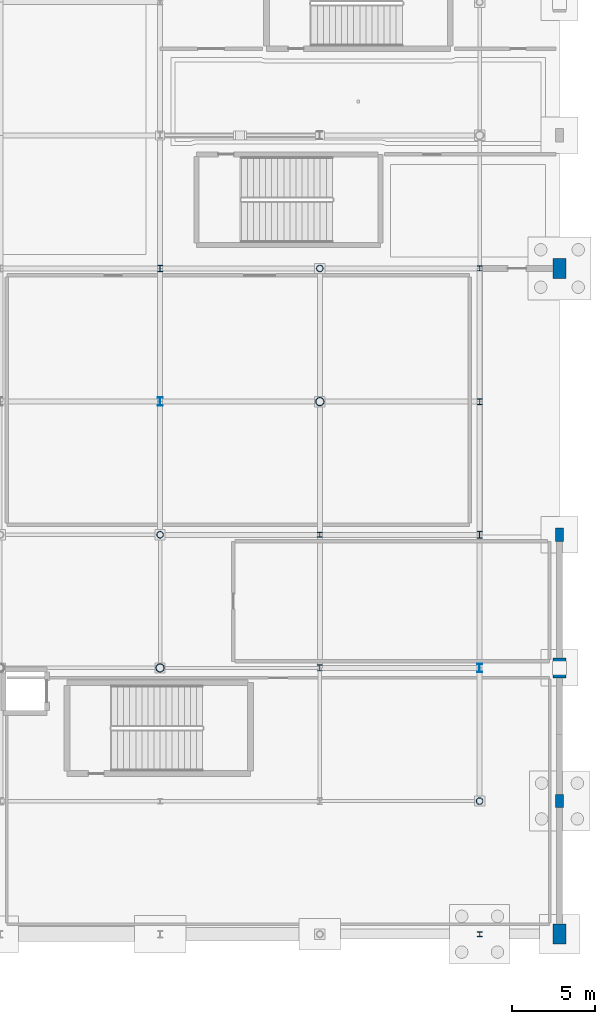
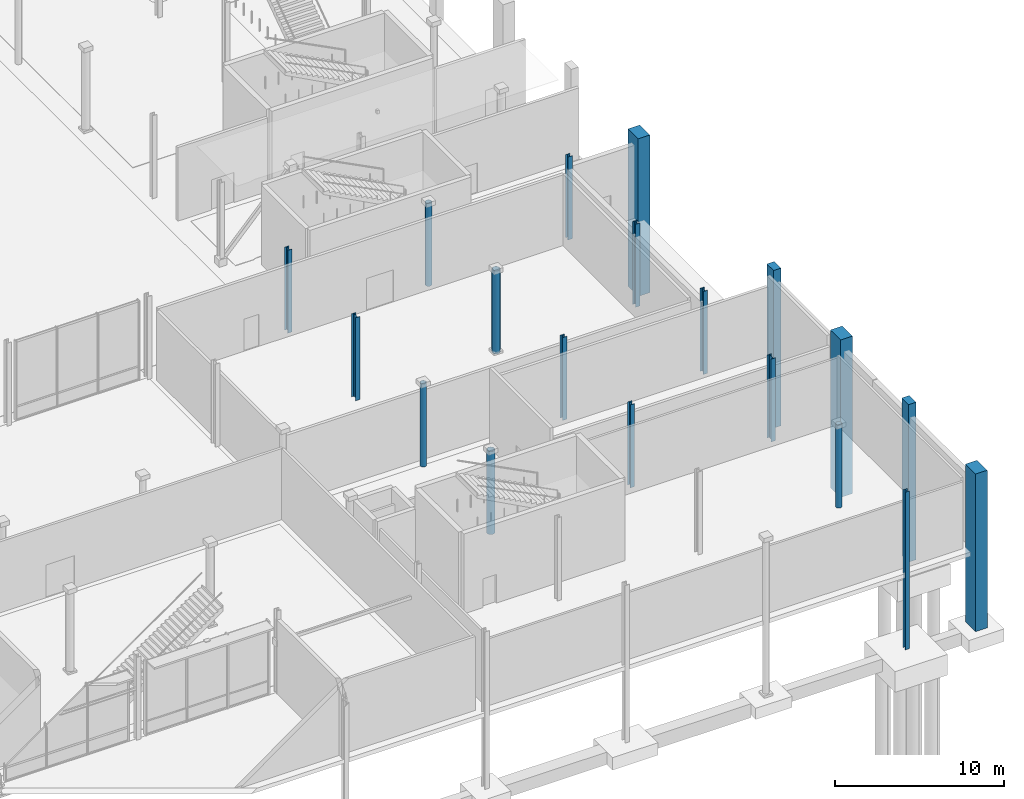
# One storey, part 21 of 124: 19 columns.
"""IFC4 building model written with IfcOpenShell, lengths in metres."""

from ifc_helpers import new_model, si_unit, direction, frame, origin, origin_2d, place, context, subcontext, project, spatial, rectangle, hollow_circle, i_section, extrude, material, material_profile, profile_set, type_object, element, save


model = new_model("IFC4")

# Units and contexts
model_context = context("Model", 3, precision=1e-05, world=origin(), true_north=direction((0.0, 1.0)))
body_context = subcontext(model_context, "Body", "Model", "MODEL_VIEW")
ifc_project = project(units=[si_unit("LENGTHUNIT", "METRE"), si_unit("AREAUNIT", "SQUARE_METRE"), si_unit("VOLUMEUNIT", "CUBIC_METRE"), si_unit("PLANEANGLEUNIT", "RADIAN"), si_unit("MASSUNIT", "GRAM", prefix="KILO")], contexts=[model_context])

# Site, building, storey
site_placement = place(None, origin())
site = spatial("IfcSite", under=ifc_project, at=site_placement, CompositionType="ELEMENT")
building_placement = place(site_placement, origin())
building = spatial("IfcBuilding", under=site, at=building_placement, Name="Danafjord Basin Convention Centre", CompositionType="ELEMENT")
storey_placement = place(building_placement, origin())
storey = spatial("IfcBuildingStorey", under=building, at=storey_placement, Name="L00", CompositionType="ELEMENT", Elevation=0.0)

# Columns
ifc_material_1 = material(Name="Steel S355", Category="steel")
ifc_material_profile_1 = material_profile(ifc_material_1, hollow_circle(Radius=0.203125, WallThickness=0.02001953125, at=origin_2d()), Name="CHS 406.4x20.0")
ifc_profile_set_1 = profile_set([ifc_material_profile_1], Name="Steel S355")
column_type_1 = type_object("IfcColumnType", Name="COL-C-CHS406", PredefinedType="COLUMN", material=ifc_profile_set_1)
for number, where, z_axis, x_axis, name in (
    (1, (192.0, 24.0, 0.0), (0.0, 0.0, 1.0), (1.0, 0.0, 0.0), "L00 column C-CHS406 at (192.0, 24.0)"),
    (2, (201.60009765625, 40.0, 0.0), (0.0, 0.0, 1.0), (1.0, 0.0, 0.0), "L00 column C-CHS406 at (201.6, 40.0)"),
    (3, (211.199951171875, 8.0, 0.0), (0.0, 0.0, 1.0), (1.0, 0.0, 0.0), "L00 column C-CHS406 at (211.2, 8.0)"),
):
    element("IfcColumn", number, at=place(storey_placement, frame(where, z_axis=z_axis, x_axis=x_axis)), inside=storey, type_object=column_type_1, Name=name, PredefinedType="COLUMN", context=body_context, shape_type="SweptSolid", body=[
        extrude(hollow_circle(Radius=0.203125, WallThickness=0.02001953125, at=origin_2d()), origin(), (0.0, 0.0, 1.0), 6.0),
    ])
ifc_material_profile_2 = material_profile(ifc_material_1, hollow_circle(Radius=0.25390625, WallThickness=0.02490234375, at=origin_2d()), Name="CHS 508.0x25.0")
ifc_profile_set_2 = profile_set([ifc_material_profile_2], Name="Steel S355")
column_type_2 = type_object("IfcColumnType", Name="COL-C-CHS508", PredefinedType="COLUMN", material=ifc_profile_set_2)
for number, where, z_axis, x_axis, name in (
    (4, (192.0, 16.0, 0.0), (0.0, 0.0, 1.0), (1.0, 0.0, 0.0), "L00 column C-CHS508 at (192.0, 16.0)"),
    (5, (201.60009765625, 32.0, 0.0), (0.0, 0.0, 1.0), (1.0, 0.0, 0.0), "L00 column C-CHS508 at (201.6, 32.0)"),
):
    element("IfcColumn", number, at=place(storey_placement, frame(where, z_axis=z_axis, x_axis=x_axis)), inside=storey, type_object=column_type_2, Name=name, PredefinedType="COLUMN", context=body_context, shape_type="SweptSolid", body=[
        extrude(hollow_circle(Radius=0.25390625, WallThickness=0.02490234375, at=origin_2d()), origin(), (0.0, 0.0, 1.0), 6.0),
    ])
ifc_material_profile_3 = material_profile(ifc_material_1, i_section(OverallWidth=0.300048828125, OverallDepth=0.300048828125, WebThickness=0.010986328125, FlangeThickness=0.01904296875, FilletRadius=0.027099609375, at=origin_2d()), Name="HEB 300")
ifc_profile_set_3 = profile_set([ifc_material_profile_3], Name="Steel S355")
column_type_3 = type_object("IfcColumnType", Name="COL-C-HEB300", PredefinedType="COLUMN", material=ifc_profile_set_3)
column_1_placement = place(storey_placement, frame((201.60009765625, 24.0, 0.0), z_axis=(0.0, 0.0, 1.0), x_axis=(1.0, 0.0, 0.0)))
element("IfcColumn", 6, at=column_1_placement, inside=storey, type_object=column_type_3, Name="L00 column C-HEB300 at (201.6, 24.0)", PredefinedType="COLUMN", context=body_context, shape_type="SweptSolid", body=[
    extrude(i_section(OverallWidth=0.300048828125, OverallDepth=0.300048828125, WebThickness=0.010986328125, FlangeThickness=0.01904296875, FilletRadius=0.027099609375, at=origin_2d()), origin(), (0.0, 0.0, 1.0), 6.0),
])
column_2_placement = place(storey_placement, frame((211.199951171875, 0.0, -5.39990234375), z_axis=(0.0, 0.0, 1.0), x_axis=(1.0, 0.0, 0.0)))
element("IfcColumn", 7, at=column_2_placement, inside=storey, type_object=column_type_3, Name="L00 column C-HEB300 at (211.2, 0.0)", PredefinedType="COLUMN", context=body_context, shape_type="SweptSolid", body=[
    extrude(i_section(OverallWidth=0.300048828125, OverallDepth=0.300048828125, WebThickness=0.010986328125, FlangeThickness=0.01904296875, FilletRadius=0.027099609375, at=origin_2d()), origin(), (0.0, 0.0, 1.0), 11.39990234375),
])
column_3_placement = place(storey_placement, frame((211.199951171875, 40.0, 0.0), z_axis=(0.0, 0.0, 1.0), x_axis=(1.0, 0.0, 0.0)))
element("IfcColumn", 8, at=column_3_placement, inside=storey, type_object=column_type_3, Name="L00 column C-HEB300 at (211.2, 40.0)", PredefinedType="COLUMN", context=body_context, shape_type="SweptSolid", body=[
    extrude(i_section(OverallWidth=0.300048828125, OverallDepth=0.300048828125, WebThickness=0.010986328125, FlangeThickness=0.01904296875, FilletRadius=0.027099609375, at=origin_2d()), origin(), (0.0, 0.0, 1.0), 6.0),
])
ifc_material_profile_4 = material_profile(ifc_material_1, i_section(OverallWidth=0.300048828125, OverallDepth=0.360107421875, WebThickness=0.012451171875, FlangeThickness=0.0224609375, FilletRadius=0.027099609375, at=origin_2d()), Name="HEB 360")
ifc_profile_set_4 = profile_set([ifc_material_profile_4], Name="Steel S355")
column_type_4 = type_object("IfcColumnType", Name="COL-C-HEB360", PredefinedType="COLUMN", material=ifc_profile_set_4)
for number, where, z_axis, x_axis, name in (
    (9, (201.60009765625, 16.0, 0.0), (0.0, 0.0, 1.0), (1.0, 0.0, 0.0), "L00 column C-HEB360 at (201.6, 16.0)"),
    (10, (211.199951171875, 32.0, 0.0), (0.0, 0.0, 1.0), (1.0, 0.0, 0.0), "L00 column C-HEB360 at (211.2, 32.0)"),
):
    element("IfcColumn", number, at=place(storey_placement, frame(where, z_axis=z_axis, x_axis=x_axis)), inside=storey, type_object=column_type_4, Name=name, PredefinedType="COLUMN", context=body_context, shape_type="SweptSolid", body=[
        extrude(i_section(OverallWidth=0.300048828125, OverallDepth=0.360107421875, WebThickness=0.012451171875, FlangeThickness=0.0224609375, FilletRadius=0.027099609375, at=origin_2d()), origin(), (0.0, 0.0, 1.0), 6.0),
    ])
ifc_material_profile_5 = material_profile(ifc_material_1, i_section(OverallWidth=0.300048828125, OverallDepth=0.39990234375, WebThickness=0.013427734375, FlangeThickness=0.02392578125, FilletRadius=0.027099609375, at=origin_2d()), Name="HEB 400")
ifc_profile_set_5 = profile_set([ifc_material_profile_5], Name="Steel S355")
column_type_5 = type_object("IfcColumnType", Name="COL-C-HEB400", PredefinedType="COLUMN", material=ifc_profile_set_5)
for number, where, z_axis, x_axis, name in (
    (11, (192.0, 40.0, 0.0), (0.0, 0.0, 1.0), (1.0, 0.0, 0.0), "L00 column C-HEB400 at (192.0, 40.0)"),
    (12, (211.199951171875, 24.0, 0.0), (0.0, 0.0, 1.0), (1.0, 0.0, 0.0), "L00 column C-HEB400 at (211.2, 24.0)"),
):
    element("IfcColumn", number, at=place(storey_placement, frame(where, z_axis=z_axis, x_axis=x_axis)), inside=storey, type_object=column_type_5, Name=name, PredefinedType="COLUMN", context=body_context, shape_type="SweptSolid", body=[
        extrude(i_section(OverallWidth=0.300048828125, OverallDepth=0.39990234375, WebThickness=0.013427734375, FlangeThickness=0.02392578125, FilletRadius=0.027099609375, at=origin_2d()), origin(), (0.0, 0.0, 1.0), 6.0),
    ])
ifc_material_profile_6 = material_profile(ifc_material_1, i_section(OverallWidth=0.300048828125, OverallDepth=0.5, WebThickness=0.014404296875, FlangeThickness=0.028076171875, FilletRadius=0.027099609375, at=origin_2d()), Name="HEB 500")
ifc_profile_set_6 = profile_set([ifc_material_profile_6], Name="Steel S355")
column_type_6 = type_object("IfcColumnType", Name="COL-C-HEB500", PredefinedType="COLUMN", material=ifc_profile_set_6)
for number, where, z_axis, x_axis, name in (
    (13, (192.0, 32.0, 0.0), (0.0, 0.0, 1.0), (1.0, 0.0, 0.0), "L00 column C-HEB500 at (192.0, 32.0)"),
    (14, (211.199951171875, 16.0, 0.0), (0.0, 0.0, 1.0), (1.0, 0.0, 0.0), "L00 column C-HEB500 at (211.2, 16.0)"),
):
    element("IfcColumn", number, at=place(storey_placement, frame(where, z_axis=z_axis, x_axis=x_axis)), inside=storey, type_object=column_type_6, Name=name, PredefinedType="COLUMN", context=body_context, shape_type="SweptSolid", body=[
        extrude(i_section(OverallWidth=0.300048828125, OverallDepth=0.5, WebThickness=0.014404296875, FlangeThickness=0.028076171875, FilletRadius=0.027099609375, at=origin_2d()), origin(), (0.0, 0.0, 1.0), 6.0),
    ])
ifc_material_2 = material(Name="Precast concrete C45/55", Category="concrete")
ifc_material_profile_7 = material_profile(ifc_material_2, rectangle(XDim=0.800048828125, YDim=1.199951171875, at=origin_2d()), Name="RC 1200x800")
ifc_profile_set_7 = profile_set([ifc_material_profile_7], Name="Precast concrete C45/55")
column_type_7 = type_object("IfcColumnType", Name="COL-C-PIL1200", PredefinedType="PILASTER", material=ifc_profile_set_7)
for number, where, z_axis, x_axis, name in (
    (15, (216.0, 0.0, -5.39990234375), (0.0, 0.0, 1.0), (1.0, 0.0, 0.0), "L00 column C-PIL1200 at (216.0, 0.0)"),
    (16, (216.0, 16.0, -5.39990234375), (0.0, 0.0, 1.0), (1.0, 0.0, 0.0), "L00 column C-PIL1200 at (216.0, 16.0)"),
    (17, (216.0, 40.0, -5.39990234375), (0.0, 0.0, 1.0), (1.0, 0.0, 0.0), "L00 column C-PIL1200 at (216.0, 40.0)"),
):
    element("IfcColumn", number, at=place(storey_placement, frame(where, z_axis=z_axis, x_axis=x_axis)), inside=storey, type_object=column_type_7, Name=name, PredefinedType="PILASTER", context=body_context, shape_type="SweptSolid", body=[
        extrude(rectangle(XDim=0.800048828125, YDim=1.199951171875, at=origin_2d()), origin(), (0.0, 0.0, 1.0), 11.39990234375),
    ])
ifc_material_profile_8 = material_profile(ifc_material_2, rectangle(XDim=0.5, YDim=0.800048828125, at=origin_2d()), Name="PCB 500x800")
ifc_profile_set_8 = profile_set([ifc_material_profile_8], Name="Precast concrete C45/55")
column_type_8 = type_object("IfcColumnType", Name="COL-C-PIL800", PredefinedType="PILASTER", material=ifc_profile_set_8)
for number, where, z_axis, x_axis, name in (
    (18, (216.0, 8.0, -5.39990234375), (0.0, 0.0, 1.0), (1.0, 0.0, 0.0), "L00 column C-PIL800 at (216.0, 8.0)"),
    (19, (216.0, 24.0, -5.39990234375), (0.0, 0.0, 1.0), (1.0, 0.0, 0.0), "L00 column C-PIL800 at (216.0, 24.0)"),
):
    element("IfcColumn", number, at=place(storey_placement, frame(where, z_axis=z_axis, x_axis=x_axis)), inside=storey, type_object=column_type_8, Name=name, PredefinedType="PILASTER", context=body_context, shape_type="SweptSolid", body=[
        extrude(rectangle(XDim=0.5, YDim=0.800048828125, at=origin_2d()), origin(), (0.0, 0.0, 1.0), 11.39990234375),
    ])

save(model, "model.ifc")
